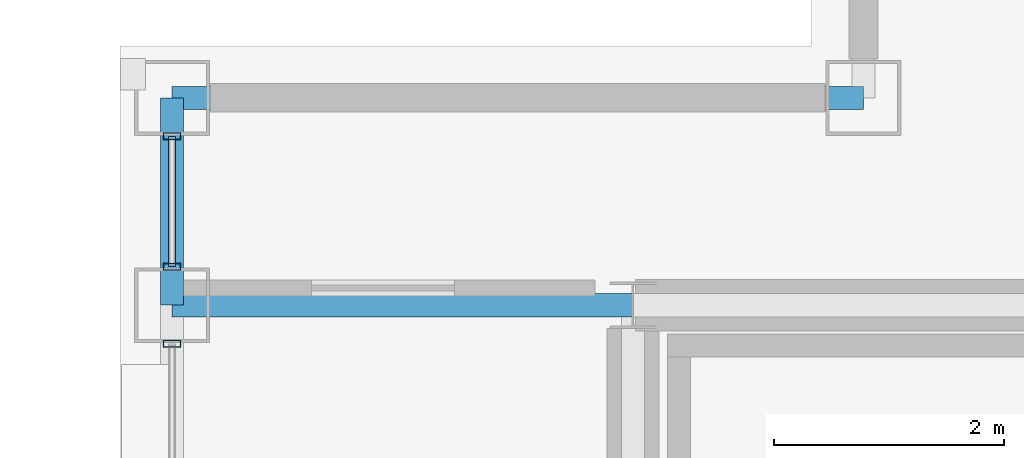
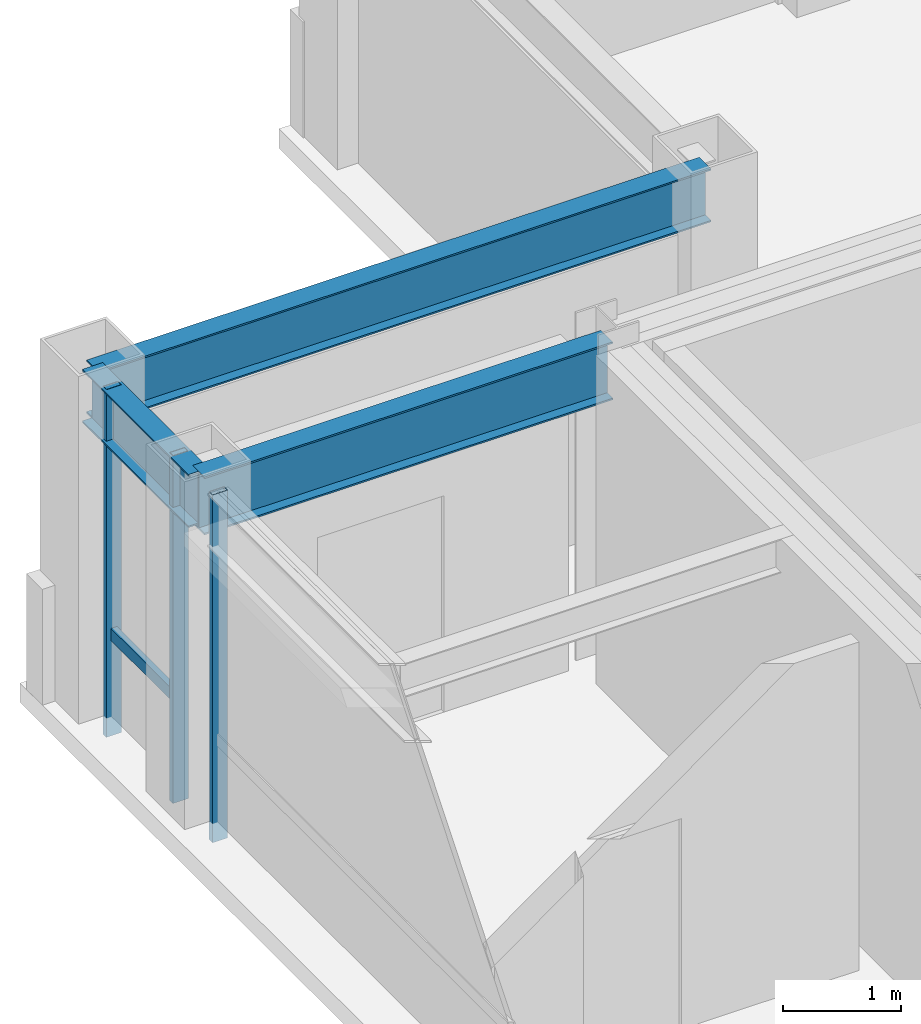
# One storey, part 11 of 26: 4 members, 3 beams, 2 elements without a shape of their own.
"""IFC4 building model written with IfcOpenShell, lengths in metres."""

from ifc_helpers import new_model, si_unit, direction, frame, origin, origin_2d, place, context, subcontext, project, spatial, hollow_rectangle, i_section, extrude, material, layer, layer_set, material_profile, profile_set, type_object, element, aggregate, save


model = new_model("IFC4")

# Units and contexts
model_context = context("Model", 3, precision=1e-05, world=origin(), true_north=direction((0.0, 1.0)))
body_context = subcontext(model_context, "Body", "Model", "MODEL_VIEW")
ifc_project = project(units=[si_unit("LENGTHUNIT", "METRE"), si_unit("AREAUNIT", "SQUARE_METRE"), si_unit("VOLUMEUNIT", "CUBIC_METRE"), si_unit("PLANEANGLEUNIT", "RADIAN"), si_unit("MASSUNIT", "GRAM", prefix="KILO")], contexts=[model_context])

# Site, building, storey
site_placement = place(None, origin())
site = spatial("IfcSite", under=ifc_project, at=site_placement, CompositionType="ELEMENT")
building_placement = place(site_placement, origin())
building = spatial("IfcBuilding", under=site, at=building_placement, Name="Brelmoor Portico Tower", CompositionType="ELEMENT")
storey_placement = place(building_placement, frame((0.0, 0.0, 247.199951171875)))
storey = spatial("IfcBuildingStorey", under=building, at=storey_placement, Name="L65", CompositionType="ELEMENT", Elevation=247.199951171875)

# Beams
ifc_material_1 = material(Name="Steel Q355B", Category="steel")
ifc_material_profile_1 = material_profile(ifc_material_1, i_section(OverallWidth=0.199951171875, OverallDepth=0.60009765625, WebThickness=0.010986328125, FlangeThickness=0.01708984375, at=origin_2d()), Name="HN 600x200x11x17")
ifc_profile_set_1 = profile_set([ifc_material_profile_1], Name="Steel Q355B")
beam_type_1 = type_object("IfcBeamType", Name="BM-PG-600", PredefinedType="BEAM", material=ifc_profile_set_1)
beam_1_placement = place(storey_placement, frame((-18.550048828125, 9.75, 3.10009765625), z_axis=(1.0, 0.0, 0.0), x_axis=(0.0, 1.0, 0.0)))
element("IfcBeam", 1, at=beam_1_placement, inside=storey, type_object=beam_type_1, Name="L65 Primary Floor Girder PG-19", PredefinedType="BEAM", context=body_context, shape_type="SweptSolid", body=[
    extrude(i_section(OverallWidth=0.199951171875, OverallDepth=0.60009765625, WebThickness=0.010986328125, FlangeThickness=0.01708984375, at=origin_2d()), origin(), (0.0, 0.0, 1.0), 4.0),
])
ifc_material_profile_2 = material_profile(ifc_material_1, i_section(OverallWidth=0.199951171875, OverallDepth=0.550048828125, WebThickness=0.010009765625, FlangeThickness=0.01611328125, at=origin_2d()), Name="HN 550x200x10x16")
ifc_profile_set_2 = profile_set([ifc_material_profile_2], Name="Steel Q355B")
beam_type_2 = type_object("IfcBeamType", Name="BM-SP-550", PredefinedType="SPANDREL", material=ifc_profile_set_2)
beam_2_placement = place(storey_placement, frame((-18.550048828125, 11.550048828125, 3.125), z_axis=(1.0, 0.0, 0.0), x_axis=(0.0, 1.0, 0.0)))
element("IfcBeam", 2, at=beam_2_placement, inside=storey, type_object=beam_type_2, Name="L65 Perimeter Spandrel Beam SP-06", PredefinedType="SPANDREL", context=body_context, shape_type="SweptSolid", body=[
    extrude(i_section(OverallWidth=0.199951171875, OverallDepth=0.550048828125, WebThickness=0.010009765625, FlangeThickness=0.01611328125, at=origin_2d()), origin(), (0.0, 0.0, 1.0), 6.0),
])
beam_3_placement = place(storey_placement, frame((-18.550048828125, 9.75, 3.125), z_axis=(0.0, 1.0, 0.0), x_axis=(-1.0, 0.0, 0.0)))
element("IfcBeam", 3, at=beam_3_placement, inside=storey, type_object=beam_type_2, Name="L65 Perimeter Spandrel Beam SP-13", PredefinedType="SPANDREL", context=body_context, shape_type="SweptSolid", body=[
    extrude(i_section(OverallWidth=0.199951171875, OverallDepth=0.550048828125, WebThickness=0.010009765625, FlangeThickness=0.01611328125, at=origin_2d()), origin(), (0.0, 0.0, 1.0), 1.800048828125),
])

# Curtain wall, member
ifc_material_2 = material(Name="Anodised Aluminium Alloy 6063-T6", Category="aluminium")
ifc_layer = layer(ifc_material_2, 0.179931640625)
ifc_layer_set = layer_set([ifc_layer], Name="Anodised Aluminium Alloy 6063-T6")
curtain_wall_type = type_object("IfcCurtainWallType", Name="CW-TOWER-Z4", PredefinedType="NOTDEFINED", material=ifc_layer_set)
curtain_wall_1_placement = place(storey_placement, origin())
curtain_wall_1 = element("IfcCurtainWall", 4, at=curtain_wall_1_placement, inside=storey, type_object=curtain_wall_type, Name="L65 Curtain Wall CW-L65-3R-1", PredefinedType="NOTDEFINED")
ifc_material_profile_3 = material_profile(ifc_material_2, hollow_rectangle(XDim=0.06005859375, YDim=0.14990234375, WallThickness=0.00390625, at=origin_2d()), Name="ALU MULLION 60x150")
ifc_profile_set_3 = profile_set([ifc_material_profile_3], Name="Anodised Aluminium Alloy 6063-T6")
member_type_1 = type_object("IfcMemberType", Name="MB-CW-MULL-150", PredefinedType="MULLION", material=ifc_profile_set_3)
member_1_placement = place(storey_placement, frame((-18.550048828125, 9.4150390625, -0.199951171875), z_axis=(0.0, 0.0, 1.0), x_axis=(0.0, 1.0, 0.0)))
member_1 = element("IfcMember", 5, at=member_1_placement, type_object=member_type_1, Name="CW-L65-3R-1 Mullion 01", PredefinedType="MULLION", context=body_context, shape_type="SweptSolid", body=[
    extrude(hollow_rectangle(XDim=0.06005859375, YDim=0.14990234375, WallThickness=0.00390625, at=origin_2d()), origin(), (0.0, 0.0, 1.0), 3.60009765625),
])
aggregate(curtain_wall_1, [member_1])

# Curtain wall, members
curtain_wall_2_placement = place(storey_placement, origin())
curtain_wall_2 = element("IfcCurtainWall", 6, at=curtain_wall_2_placement, inside=storey, type_object=curtain_wall_type, Name="L65 Curtain Wall CW-L65-3R-2", PredefinedType="NOTDEFINED")
member_2_placement = place(storey_placement, frame((-18.550048828125, 10.0849609375, -0.199951171875), z_axis=(0.0, 0.0, 1.0), x_axis=(0.0, 1.0, 0.0)))
member_2 = element("IfcMember", 7, at=member_2_placement, type_object=member_type_1, Name="CW-L65-3R-2 Mullion 00", PredefinedType="MULLION", context=body_context, shape_type="SweptSolid", body=[
    extrude(hollow_rectangle(XDim=0.06005859375, YDim=0.14990234375, WallThickness=0.00390625, at=origin_2d()), origin(), (0.0, 0.0, 1.0), 3.60009765625),
])
member_3_placement = place(storey_placement, frame((-18.550048828125, 11.215087890625, -0.199951171875), z_axis=(0.0, 0.0, 1.0), x_axis=(0.0, 1.0, 0.0)))
member_3 = element("IfcMember", 8, at=member_3_placement, type_object=member_type_1, Name="CW-L65-3R-2 Mullion 01", PredefinedType="MULLION", context=body_context, shape_type="SweptSolid", body=[
    extrude(hollow_rectangle(XDim=0.06005859375, YDim=0.14990234375, WallThickness=0.00390625, at=origin_2d()), origin(), (0.0, 0.0, 1.0), 3.60009765625),
])
ifc_material_profile_4 = material_profile(ifc_material_2, hollow_rectangle(XDim=0.06005859375, YDim=0.125, WallThickness=0.00341796875, at=origin_2d()), Name="ALU TRANSOM 60x125")
ifc_profile_set_4 = profile_set([ifc_material_profile_4], Name="Anodised Aluminium Alloy 6063-T6")
member_type_2 = type_object("IfcMemberType", Name="MB-CW-TRAN-125", PredefinedType="USERDEFINED", material=ifc_profile_set_4)
member_4_placement = place(storey_placement, frame((-18.550048828125, 10.0849609375, 0.85009765625), z_axis=(0.0, 1.0, 0.0), x_axis=(-1.0, 0.0, 0.0)))
member_4 = element("IfcMember", 9, at=member_4_placement, type_object=member_type_2, Name="CW-L65-3R-2 Transom 1-00", ObjectType="TRANSOM", PredefinedType="USERDEFINED", context=body_context, shape_type="SweptSolid", body=[
    extrude(hollow_rectangle(XDim=0.06005859375, YDim=0.125, WallThickness=0.00341796875, at=origin_2d()), origin(), (0.0, 0.0, 1.0), 1.130126953125),
])
aggregate(curtain_wall_2, [member_2, member_3, member_4])

save(model, "model.ifc")
